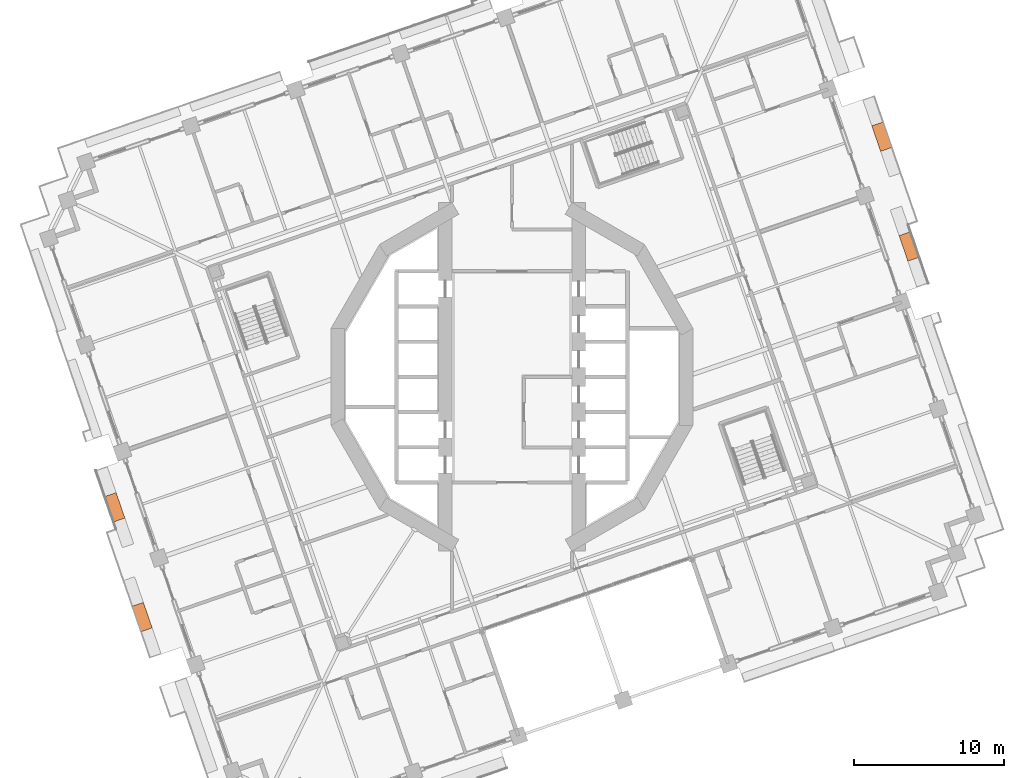
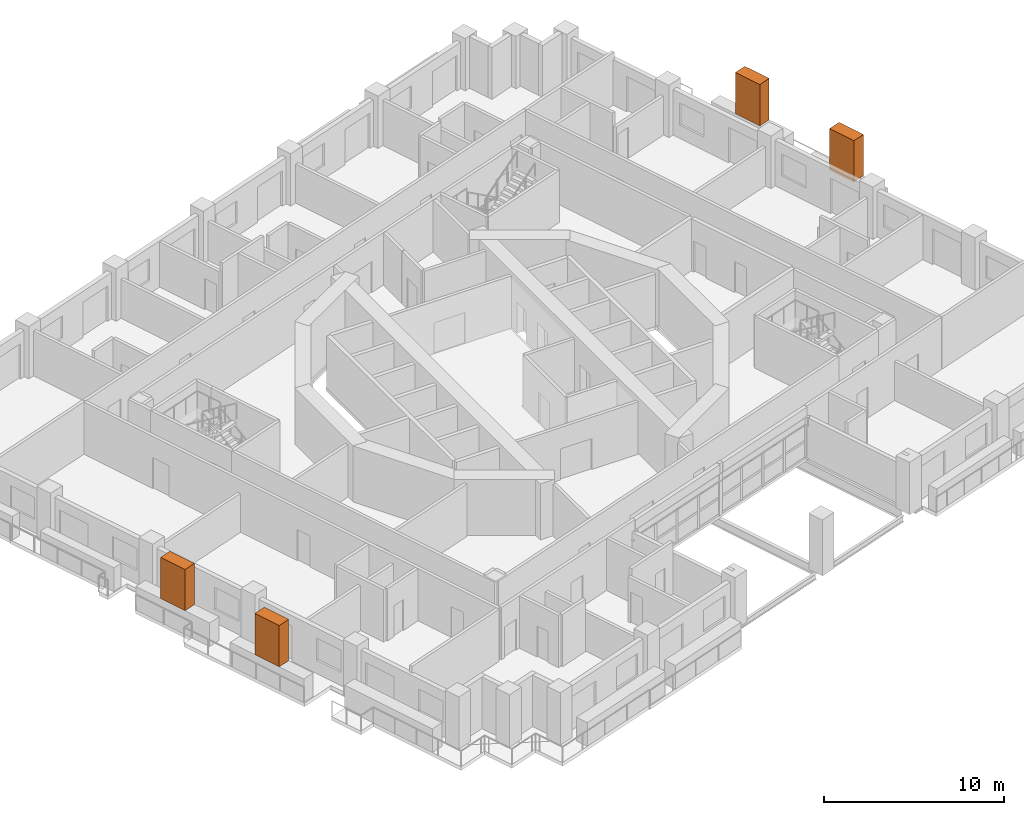
# One storey, part 22 of 22: 4 proxies.
"""IFC4 building model written with IfcOpenShell, lengths in metres."""

from ifc_helpers import new_model, si_unit, direction, frame, origin, origin_2d, place, context, subcontext, project, spatial, rectangle, extrude, element, save


model = new_model("IFC4")

# Units and contexts
model_context = context("Model", 3, precision=1e-05, world=origin(), true_north=direction((0.0, 1.0)))
body_context = subcontext(model_context, "Body", "Model", "MODEL_VIEW")
ifc_project = project(units=[si_unit("LENGTHUNIT", "METRE"), si_unit("AREAUNIT", "SQUARE_METRE"), si_unit("VOLUMEUNIT", "CUBIC_METRE"), si_unit("PLANEANGLEUNIT", "RADIAN"), si_unit("MASSUNIT", "GRAM", prefix="KILO")], contexts=[model_context])

# Site, building, storey
site_placement = place(None, origin())
site = spatial("IfcSite", under=ifc_project, at=site_placement, CompositionType="ELEMENT")
building_placement = place(site_placement, origin())
building = spatial("IfcBuilding", under=site, at=building_placement, Name="Cantera Rosa Tower", CompositionType="ELEMENT")
storey_placement = place(building_placement, frame((0.0, 0.0, 104.10009765625)))
storey = spatial("IfcBuildingStorey", under=building, at=storey_placement, Name="L20", CompositionType="ELEMENT", Elevation=104.10009765625)

# Proxies
for number, where, z_axis, x_axis, name in (
    (1, (26.5, 8.70166015625, 1.60009765625), (0.0, 0.0, 1.0), (-0.325568154457, 0.945518575599, 0.0), "TREE L20-03"),
    (2, (24.68017578125, 16.0283203125, 1.60009765625), (0.0, 0.0, 1.0), (-0.325568154457, 0.945518575599, 0.0), "TREE L20-04"),
    (3, (-26.5, -8.70166015625, 1.60009765625), (0.0, 0.0, 1.0), (0.325568154457, -0.945518575599, 0.0), "TREE L20-14"),
    (4, (-24.68017578125, -16.0283203125, 1.60009765625), (0.0, 0.0, 1.0), (0.325568154457, -0.945518575599, 0.0), "TREE L20-15"),
):
    element("IfcBuildingElementProxy", number, at=place(storey_placement, frame(where, z_axis=z_axis, x_axis=x_axis)), inside=storey, Name=name, ObjectType="TREE", PredefinedType="USERDEFINED", context=body_context, shape_type="SweptSolid", body=[
        extrude(rectangle(XDim=1.800048828125, YDim=0.800048828125, at=origin_2d()), origin(), (0.0, 0.0, 1.0), 2.800048828125),
    ])

save(model, "model.ifc")
